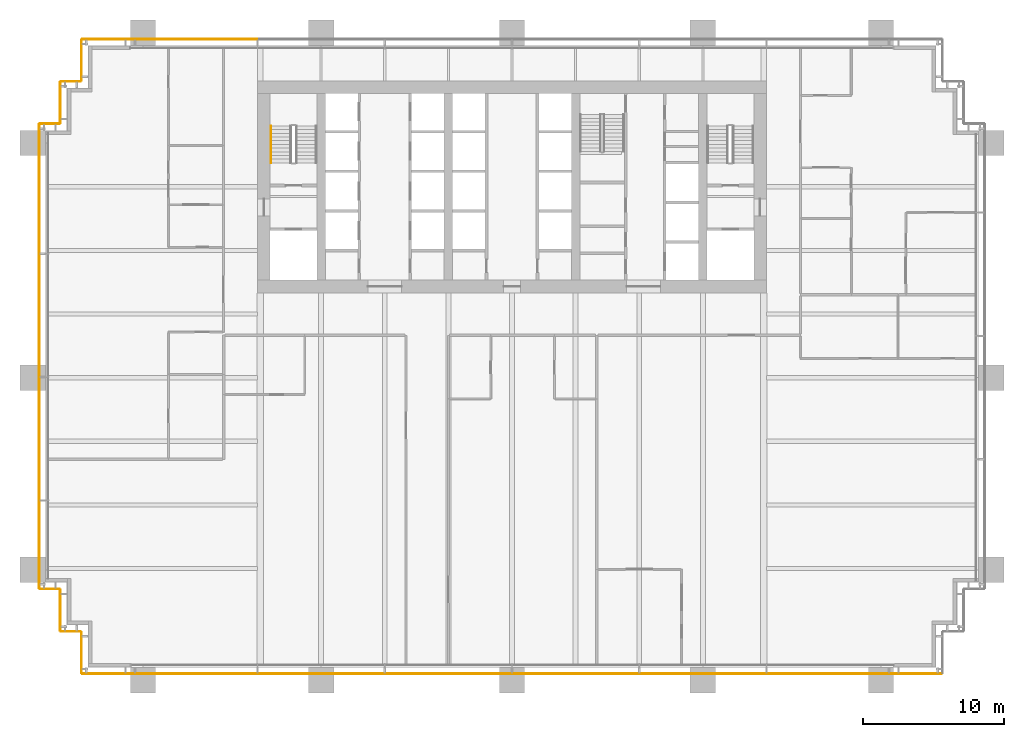
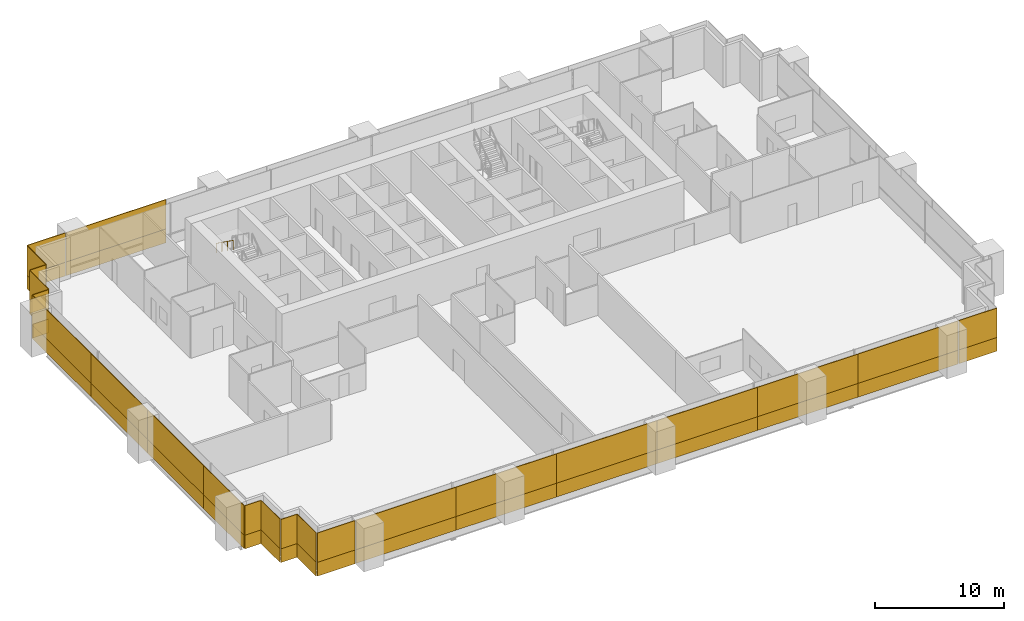
# One storey, part 17 of 19: 44 coverings, 1 railing.
"""IFC4 building model written with IfcOpenShell, lengths in metres."""

from ifc_helpers import new_model, si_unit, direction, frame, origin, origin_2d, place, context, subcontext, project, spatial, rectangle, extrude, material, layer, layer_set, type_object, element, save


model = new_model("IFC4")

# Units and contexts
model_context = context("Model", 3, precision=1e-05, world=origin(), true_north=direction((0.0, 1.0)))
body_context = subcontext(model_context, "Body", "Model", "MODEL_VIEW")
ifc_project = project(units=[si_unit("LENGTHUNIT", "METRE"), si_unit("AREAUNIT", "SQUARE_METRE"), si_unit("VOLUMEUNIT", "CUBIC_METRE"), si_unit("PLANEANGLEUNIT", "RADIAN"), si_unit("MASSUNIT", "GRAM", prefix="KILO")], contexts=[model_context])

# Site, building, storey
site_placement = place(None, origin())
site = spatial("IfcSite", under=ifc_project, at=site_placement, CompositionType="ELEMENT")
building_placement = place(site_placement, origin())
building = spatial("IfcBuilding", under=site, at=building_placement, Name="Rattan Terrace Tower", CompositionType="ELEMENT")
storey_placement = place(building_placement, frame((0.0, 0.0, 52.89990234375)))
storey = spatial("IfcBuildingStorey", under=building, at=storey_placement, Name="L11", CompositionType="ELEMENT", Elevation=52.89990234375)

# Railing
ifc_material_1 = material(Name="Powder-coated steel handrail", Category="steel")
railing_type = type_object("IfcRailingType", Name="Core stair handrail", PredefinedType="HANDRAIL", material=ifc_material_1)
railing_placement = place(storey_placement, frame((-17.050048828125, 4.300048828125, 2.236572265625)))
element("IfcRailing", 1, at=railing_placement, inside=storey, type_object=railing_type, Name="L11 S1 stair handrail 2", PredefinedType="HANDRAIL", context=body_context, shape_type="SweptSolid", body=[
    extrude(rectangle(XDim=0.048095703125, YDim=0.048095703125, at=origin_2d()), frame((0.0, 0.0, 0.8759765625), z_axis=(0.0, -0.812799059333, 0.582544152102), x_axis=(1.0, 0.0, 0.0)), (0.0, 0.0, 1.0), 3.198974609375),
    extrude(rectangle(XDim=0.0419921875, YDim=0.0419921875, at=origin_2d()), origin(), (0.0, 0.0, 1.0), 0.851806640625),
    extrude(rectangle(XDim=0.0419921875, YDim=0.0419921875, at=origin_2d()), frame((0.0, -0.86669921875, 0.62109375)), (0.0, 0.0, 1.0), 0.851806640625),
    extrude(rectangle(XDim=0.0419921875, YDim=0.0419921875, at=origin_2d()), frame((0.0, -1.7333984375, 1.242431640625)), (0.0, 0.0, 1.0), 0.851806640625),
    extrude(rectangle(XDim=0.0419921875, YDim=0.0419921875, at=origin_2d()), frame((0.0, -2.60009765625, 1.863525390625)), (0.0, 0.0, 1.0), 0.851806640625),
])

# Coverings
ifc_material_2 = material(Name="Solid terracotta", Category="masonry")
ifc_layer_1 = layer(ifc_material_2, 0.06005859375)
ifc_layer_set_1 = layer_set([ifc_layer_1], Name="Facade Terracotta Band Panel")
covering_type_1 = type_object("IfcCoveringType", Name="Facade Terracotta Band Panel", PredefinedType="CLADDING", material=ifc_layer_set_1)
covering_1_placement = place(storey_placement, frame((28.72509765625, -34.449951171875, -0.18994140625), z_axis=(0.0, 0.0, 1.0), x_axis=(1.0, 0.0, 0.0)))
element("IfcCovering", 2, at=covering_1_placement, inside=storey, type_object=covering_type_1, Name="OUTER SKIN panel L11-1A", PredefinedType="CLADDING", context=body_context, shape_type="SweptSolid", body=[
    extrude(rectangle(XDim=3.3701171875, YDim=0.06005859375, at=origin_2d()), origin(), (0.0, 0.0, 1.0), 1.300048828125),
])
covering_2_placement = place(storey_placement, frame((-22.485107421875, 10.449951171875, -0.18994140625), z_axis=(0.0, 0.0, 1.0), x_axis=(-1.0, 0.0, 0.0)))
element("IfcCovering", 3, at=covering_2_placement, inside=storey, type_object=covering_type_1, Name="OUTER SKIN panel L11-20A", PredefinedType="CLADDING", context=body_context, shape_type="SweptSolid", body=[
    extrude(rectangle(XDim=8.949951171875, YDim=0.06005859375, at=origin_2d()), origin(), (0.0, 0.0, 1.0), 1.300048828125),
])
covering_3_placement = place(storey_placement, frame((-28.72509765625, 10.449951171875, -0.18994140625), z_axis=(0.0, 0.0, 1.0), x_axis=(-1.0, 0.0, 0.0)))
element("IfcCovering", 4, at=covering_3_placement, inside=storey, type_object=covering_type_1, Name="OUTER SKIN panel L11-21A", PredefinedType="CLADDING", context=body_context, shape_type="SweptSolid", body=[
    extrude(rectangle(XDim=3.3701171875, YDim=0.06005859375, at=origin_2d()), origin(), (0.0, 0.0, 1.0), 1.300048828125),
])
covering_4_placement = place(storey_placement, frame((-30.449951171875, 8.949951171875, -0.18994140625), z_axis=(0.0, 0.0, 1.0), x_axis=(0.0, -1.0, 0.0)))
element("IfcCovering", 5, at=covering_4_placement, inside=storey, type_object=covering_type_1, Name="OUTER SKIN panel L11-22A", PredefinedType="CLADDING", context=body_context, shape_type="SweptSolid", body=[
    extrude(rectangle(XDim=2.919921875, YDim=0.06005859375, at=origin_2d()), origin(), (0.0, 0.0, 1.0), 1.300048828125),
])
covering_5_placement = place(storey_placement, frame((-31.199951171875, 7.449951171875, -0.18994140625), z_axis=(0.0, 0.0, 1.0), x_axis=(-1.0, 0.0, 0.0)))
element("IfcCovering", 6, at=covering_5_placement, inside=storey, type_object=covering_type_1, Name="OUTER SKIN panel L11-23A", PredefinedType="CLADDING", context=body_context, shape_type="SweptSolid", body=[
    extrude(rectangle(XDim=1.419921875, YDim=0.06005859375, at=origin_2d()), origin(), (0.0, 0.0, 1.0), 1.300048828125),
])
covering_6_placement = place(storey_placement, frame((-31.949951171875, 5.949951171875, -0.18994140625), z_axis=(0.0, 0.0, 1.0), x_axis=(0.0, -1.0, 0.0)))
element("IfcCovering", 7, at=covering_6_placement, inside=storey, type_object=covering_type_1, Name="OUTER SKIN panel L11-24A", PredefinedType="CLADDING", context=body_context, shape_type="SweptSolid", body=[
    extrude(rectangle(XDim=2.919921875, YDim=0.06005859375, at=origin_2d()), origin(), (0.0, 0.0, 1.0), 1.300048828125),
])
covering_7_placement = place(storey_placement, frame((-32.699951171875, 4.449951171875, -0.18994140625), z_axis=(0.0, 0.0, 1.0), x_axis=(-1.0, 0.0, 0.0)))
element("IfcCovering", 8, at=covering_7_placement, inside=storey, type_object=covering_type_1, Name="OUTER SKIN panel L11-25A", PredefinedType="CLADDING", context=body_context, shape_type="SweptSolid", body=[
    extrude(rectangle(XDim=1.419921875, YDim=0.06005859375, at=origin_2d()), origin(), (0.0, 0.0, 1.0), 1.300048828125),
])
covering_8_placement = place(storey_placement, frame((-33.449951171875, -0.153564453125, -0.18994140625), z_axis=(0.0, 0.0, 1.0), x_axis=(0.0, -1.0, 0.0)))
element("IfcCovering", 9, at=covering_8_placement, inside=storey, type_object=covering_type_1, Name="OUTER SKIN panel L11-26A", PredefinedType="CLADDING", context=body_context, shape_type="SweptSolid", body=[
    extrude(rectangle(XDim=9.126953125, YDim=0.06005859375, at=origin_2d()), origin(), (0.0, 0.0, 1.0), 1.300048828125),
])
for number, where, z_axis, x_axis, name in (
    (10, (-33.449951171875, -9.090576171875, -0.18994140625), (0.0, 0.0, 1.0), (0.0, -1.0, 0.0), "OUTER SKIN panel L11-27A"),
    (11, (-33.449951171875, -17.8173828125, -0.18994140625), (0.0, 0.0, 1.0), (0.0, -1.0, 0.0), "OUTER SKIN panel L11-28A"),
):
    element("IfcCovering", number, at=place(storey_placement, frame(where, z_axis=z_axis, x_axis=x_axis)), inside=storey, type_object=covering_type_1, Name=name, PredefinedType="CLADDING", context=body_context, shape_type="SweptSolid", body=[
        extrude(rectangle(XDim=8.70703125, YDim=0.06005859375, at=origin_2d()), origin(), (0.0, 0.0, 1.0), 1.300048828125),
    ])
covering_9_placement = place(storey_placement, frame((-33.449951171875, -25.300537109375, -0.18994140625), z_axis=(0.0, 0.0, 1.0), x_axis=(0.0, -1.0, 0.0)))
element("IfcCovering", 12, at=covering_9_placement, inside=storey, type_object=covering_type_1, Name="OUTER SKIN panel L11-29A", PredefinedType="CLADDING", context=body_context, shape_type="SweptSolid", body=[
    extrude(rectangle(XDim=6.218994140625, YDim=0.06005859375, at=origin_2d()), origin(), (0.0, 0.0, 1.0), 1.300048828125),
])
covering_10_placement = place(storey_placement, frame((-32.699951171875, -28.449951171875, -0.18994140625), z_axis=(0.0, 0.0, 1.0), x_axis=(1.0, 0.0, 0.0)))
element("IfcCovering", 13, at=covering_10_placement, inside=storey, type_object=covering_type_1, Name="OUTER SKIN panel L11-30A", PredefinedType="CLADDING", context=body_context, shape_type="SweptSolid", body=[
    extrude(rectangle(XDim=1.419921875, YDim=0.06005859375, at=origin_2d()), origin(), (0.0, 0.0, 1.0), 1.300048828125),
])
covering_11_placement = place(storey_placement, frame((-31.949951171875, -29.949951171875, -0.18994140625), z_axis=(0.0, 0.0, 1.0), x_axis=(0.0, -1.0, 0.0)))
element("IfcCovering", 14, at=covering_11_placement, inside=storey, type_object=covering_type_1, Name="OUTER SKIN panel L11-31A", PredefinedType="CLADDING", context=body_context, shape_type="SweptSolid", body=[
    extrude(rectangle(XDim=2.919921875, YDim=0.06005859375, at=origin_2d()), origin(), (0.0, 0.0, 1.0), 1.300048828125),
])
covering_12_placement = place(storey_placement, frame((-31.199951171875, -31.449951171875, -0.18994140625), z_axis=(0.0, 0.0, 1.0), x_axis=(1.0, 0.0, 0.0)))
element("IfcCovering", 15, at=covering_12_placement, inside=storey, type_object=covering_type_1, Name="OUTER SKIN panel L11-32A", PredefinedType="CLADDING", context=body_context, shape_type="SweptSolid", body=[
    extrude(rectangle(XDim=1.419921875, YDim=0.06005859375, at=origin_2d()), origin(), (0.0, 0.0, 1.0), 1.300048828125),
])
covering_13_placement = place(storey_placement, frame((-30.449951171875, -32.949951171875, -0.18994140625), z_axis=(0.0, 0.0, 1.0), x_axis=(0.0, -1.0, 0.0)))
element("IfcCovering", 16, at=covering_13_placement, inside=storey, type_object=covering_type_1, Name="OUTER SKIN panel L11-33A", PredefinedType="CLADDING", context=body_context, shape_type="SweptSolid", body=[
    extrude(rectangle(XDim=2.919921875, YDim=0.06005859375, at=origin_2d()), origin(), (0.0, 0.0, 1.0), 1.300048828125),
])
covering_14_placement = place(storey_placement, frame((-28.72509765625, -34.449951171875, -0.18994140625), z_axis=(0.0, 0.0, 1.0), x_axis=(1.0, 0.0, 0.0)))
element("IfcCovering", 17, at=covering_14_placement, inside=storey, type_object=covering_type_1, Name="OUTER SKIN panel L11-34A", PredefinedType="CLADDING", context=body_context, shape_type="SweptSolid", body=[
    extrude(rectangle(XDim=3.3701171875, YDim=0.06005859375, at=origin_2d()), origin(), (0.0, 0.0, 1.0), 1.300048828125),
])
covering_15_placement = place(storey_placement, frame((-22.485107421875, -34.449951171875, -0.18994140625), z_axis=(0.0, 0.0, 1.0), x_axis=(1.0, 0.0, 0.0)))
element("IfcCovering", 18, at=covering_15_placement, inside=storey, type_object=covering_type_1, Name="OUTER SKIN panel L11-35A", PredefinedType="CLADDING", context=body_context, shape_type="SweptSolid", body=[
    extrude(rectangle(XDim=8.949951171875, YDim=0.06005859375, at=origin_2d()), origin(), (0.0, 0.0, 1.0), 1.300048828125),
])
for number, where, z_axis, x_axis, name in (
    (19, (-13.5, -34.449951171875, -0.18994140625), (0.0, 0.0, 1.0), (1.0, 0.0, 0.0), "OUTER SKIN panel L11-36A"),
    (20, (-4.5, -34.449951171875, -0.18994140625), (0.0, 0.0, 1.0), (1.0, 0.0, 0.0), "OUTER SKIN panel L11-37A"),
    (21, (4.5, -34.449951171875, -0.18994140625), (0.0, 0.0, 1.0), (1.0, 0.0, 0.0), "OUTER SKIN panel L11-38A"),
    (22, (13.5, -34.449951171875, -0.18994140625), (0.0, 0.0, 1.0), (1.0, 0.0, 0.0), "OUTER SKIN panel L11-39A"),
):
    element("IfcCovering", number, at=place(storey_placement, frame(where, z_axis=z_axis, x_axis=x_axis)), inside=storey, type_object=covering_type_1, Name=name, PredefinedType="CLADDING", context=body_context, shape_type="SweptSolid", body=[
        extrude(rectangle(XDim=8.97998046875, YDim=0.06005859375, at=origin_2d()), origin(), (0.0, 0.0, 1.0), 1.300048828125),
    ])
covering_16_placement = place(storey_placement, frame((22.485107421875, -34.449951171875, -0.18994140625), z_axis=(0.0, 0.0, 1.0), x_axis=(1.0, 0.0, 0.0)))
element("IfcCovering", 23, at=covering_16_placement, inside=storey, type_object=covering_type_1, Name="OUTER SKIN panel L11-40A", PredefinedType="CLADDING", context=body_context, shape_type="SweptSolid", body=[
    extrude(rectangle(XDim=8.949951171875, YDim=0.06005859375, at=origin_2d()), origin(), (0.0, 0.0, 1.0), 1.300048828125),
])
ifc_material_3 = material(Name="Perforated terracotta", Category="masonry")
ifc_layer_2 = layer(ifc_material_3, 0.06005859375)
ifc_layer_set_2 = layer_set([ifc_layer_2], Name="Facade Terracotta Screen Panel")
covering_type_2 = type_object("IfcCoveringType", Name="Facade Terracotta Screen Panel", PredefinedType="CLADDING", material=ifc_layer_set_2)
covering_17_placement = place(storey_placement, frame((28.72509765625, -34.449951171875, 1.10986328125), z_axis=(0.0, 0.0, 1.0), x_axis=(1.0, 0.0, 0.0)))
element("IfcCovering", 24, at=covering_17_placement, inside=storey, type_object=covering_type_2, Name="OUTER SKIN panel L11-1B", PredefinedType="CLADDING", context=body_context, shape_type="SweptSolid", body=[
    extrude(rectangle(XDim=3.3701171875, YDim=0.06005859375, at=origin_2d()), origin(), (0.0, 0.0, 1.0), 2.780029296875),
])
covering_18_placement = place(storey_placement, frame((-22.485107421875, 10.449951171875, 1.10986328125), z_axis=(0.0, 0.0, 1.0), x_axis=(-1.0, 0.0, 0.0)))
element("IfcCovering", 25, at=covering_18_placement, inside=storey, type_object=covering_type_2, Name="OUTER SKIN panel L11-20B", PredefinedType="CLADDING", context=body_context, shape_type="SweptSolid", body=[
    extrude(rectangle(XDim=8.949951171875, YDim=0.06005859375, at=origin_2d()), origin(), (0.0, 0.0, 1.0), 2.780029296875),
])
covering_19_placement = place(storey_placement, frame((-28.72509765625, 10.449951171875, 1.10986328125), z_axis=(0.0, 0.0, 1.0), x_axis=(-1.0, 0.0, 0.0)))
element("IfcCovering", 26, at=covering_19_placement, inside=storey, type_object=covering_type_2, Name="OUTER SKIN panel L11-21B", PredefinedType="CLADDING", context=body_context, shape_type="SweptSolid", body=[
    extrude(rectangle(XDim=3.3701171875, YDim=0.06005859375, at=origin_2d()), origin(), (0.0, 0.0, 1.0), 2.780029296875),
])
covering_20_placement = place(storey_placement, frame((-30.449951171875, 8.949951171875, 1.10986328125), z_axis=(0.0, 0.0, 1.0), x_axis=(0.0, -1.0, 0.0)))
element("IfcCovering", 27, at=covering_20_placement, inside=storey, type_object=covering_type_2, Name="OUTER SKIN panel L11-22B", PredefinedType="CLADDING", context=body_context, shape_type="SweptSolid", body=[
    extrude(rectangle(XDim=2.919921875, YDim=0.06005859375, at=origin_2d()), origin(), (0.0, 0.0, 1.0), 2.780029296875),
])
covering_21_placement = place(storey_placement, frame((-31.199951171875, 7.449951171875, 1.10986328125), z_axis=(0.0, 0.0, 1.0), x_axis=(-1.0, 0.0, 0.0)))
element("IfcCovering", 28, at=covering_21_placement, inside=storey, type_object=covering_type_2, Name="OUTER SKIN panel L11-23B", PredefinedType="CLADDING", context=body_context, shape_type="SweptSolid", body=[
    extrude(rectangle(XDim=1.419921875, YDim=0.06005859375, at=origin_2d()), origin(), (0.0, 0.0, 1.0), 2.780029296875),
])
covering_22_placement = place(storey_placement, frame((-31.949951171875, 5.949951171875, 1.10986328125), z_axis=(0.0, 0.0, 1.0), x_axis=(0.0, -1.0, 0.0)))
element("IfcCovering", 29, at=covering_22_placement, inside=storey, type_object=covering_type_2, Name="OUTER SKIN panel L11-24B", PredefinedType="CLADDING", context=body_context, shape_type="SweptSolid", body=[
    extrude(rectangle(XDim=2.919921875, YDim=0.06005859375, at=origin_2d()), origin(), (0.0, 0.0, 1.0), 2.780029296875),
])
covering_23_placement = place(storey_placement, frame((-32.699951171875, 4.449951171875, 1.10986328125), z_axis=(0.0, 0.0, 1.0), x_axis=(-1.0, 0.0, 0.0)))
element("IfcCovering", 30, at=covering_23_placement, inside=storey, type_object=covering_type_2, Name="OUTER SKIN panel L11-25B", PredefinedType="CLADDING", context=body_context, shape_type="SweptSolid", body=[
    extrude(rectangle(XDim=1.419921875, YDim=0.06005859375, at=origin_2d()), origin(), (0.0, 0.0, 1.0), 2.780029296875),
])
covering_24_placement = place(storey_placement, frame((-33.449951171875, -0.153564453125, 1.10986328125), z_axis=(0.0, 0.0, 1.0), x_axis=(0.0, -1.0, 0.0)))
element("IfcCovering", 31, at=covering_24_placement, inside=storey, type_object=covering_type_2, Name="OUTER SKIN panel L11-26B", PredefinedType="CLADDING", context=body_context, shape_type="SweptSolid", body=[
    extrude(rectangle(XDim=9.126953125, YDim=0.06005859375, at=origin_2d()), origin(), (0.0, 0.0, 1.0), 2.780029296875),
])
for number, where, z_axis, x_axis, name in (
    (32, (-33.449951171875, -9.090576171875, 1.10986328125), (0.0, 0.0, 1.0), (0.0, -1.0, 0.0), "OUTER SKIN panel L11-27B"),
    (33, (-33.449951171875, -17.8173828125, 1.10986328125), (0.0, 0.0, 1.0), (0.0, -1.0, 0.0), "OUTER SKIN panel L11-28B"),
):
    element("IfcCovering", number, at=place(storey_placement, frame(where, z_axis=z_axis, x_axis=x_axis)), inside=storey, type_object=covering_type_2, Name=name, PredefinedType="CLADDING", context=body_context, shape_type="SweptSolid", body=[
        extrude(rectangle(XDim=8.70703125, YDim=0.06005859375, at=origin_2d()), origin(), (0.0, 0.0, 1.0), 2.780029296875),
    ])
covering_25_placement = place(storey_placement, frame((-33.449951171875, -25.300537109375, 1.10986328125), z_axis=(0.0, 0.0, 1.0), x_axis=(0.0, -1.0, 0.0)))
element("IfcCovering", 34, at=covering_25_placement, inside=storey, type_object=covering_type_2, Name="OUTER SKIN panel L11-29B", PredefinedType="CLADDING", context=body_context, shape_type="SweptSolid", body=[
    extrude(rectangle(XDim=6.218994140625, YDim=0.06005859375, at=origin_2d()), origin(), (0.0, 0.0, 1.0), 2.780029296875),
])
covering_26_placement = place(storey_placement, frame((-32.699951171875, -28.449951171875, 1.10986328125), z_axis=(0.0, 0.0, 1.0), x_axis=(1.0, 0.0, 0.0)))
element("IfcCovering", 35, at=covering_26_placement, inside=storey, type_object=covering_type_2, Name="OUTER SKIN panel L11-30B", PredefinedType="CLADDING", context=body_context, shape_type="SweptSolid", body=[
    extrude(rectangle(XDim=1.419921875, YDim=0.06005859375, at=origin_2d()), origin(), (0.0, 0.0, 1.0), 2.780029296875),
])
covering_27_placement = place(storey_placement, frame((-31.949951171875, -29.949951171875, 1.10986328125), z_axis=(0.0, 0.0, 1.0), x_axis=(0.0, -1.0, 0.0)))
element("IfcCovering", 36, at=covering_27_placement, inside=storey, type_object=covering_type_2, Name="OUTER SKIN panel L11-31B", PredefinedType="CLADDING", context=body_context, shape_type="SweptSolid", body=[
    extrude(rectangle(XDim=2.919921875, YDim=0.06005859375, at=origin_2d()), origin(), (0.0, 0.0, 1.0), 2.780029296875),
])
covering_28_placement = place(storey_placement, frame((-31.199951171875, -31.449951171875, 1.10986328125), z_axis=(0.0, 0.0, 1.0), x_axis=(1.0, 0.0, 0.0)))
element("IfcCovering", 37, at=covering_28_placement, inside=storey, type_object=covering_type_2, Name="OUTER SKIN panel L11-32B", PredefinedType="CLADDING", context=body_context, shape_type="SweptSolid", body=[
    extrude(rectangle(XDim=1.419921875, YDim=0.06005859375, at=origin_2d()), origin(), (0.0, 0.0, 1.0), 2.780029296875),
])
covering_29_placement = place(storey_placement, frame((-30.449951171875, -32.949951171875, 1.10986328125), z_axis=(0.0, 0.0, 1.0), x_axis=(0.0, -1.0, 0.0)))
element("IfcCovering", 38, at=covering_29_placement, inside=storey, type_object=covering_type_2, Name="OUTER SKIN panel L11-33B", PredefinedType="CLADDING", context=body_context, shape_type="SweptSolid", body=[
    extrude(rectangle(XDim=2.919921875, YDim=0.06005859375, at=origin_2d()), origin(), (0.0, 0.0, 1.0), 2.780029296875),
])
covering_30_placement = place(storey_placement, frame((-28.72509765625, -34.449951171875, 1.10986328125), z_axis=(0.0, 0.0, 1.0), x_axis=(1.0, 0.0, 0.0)))
element("IfcCovering", 39, at=covering_30_placement, inside=storey, type_object=covering_type_2, Name="OUTER SKIN panel L11-34B", PredefinedType="CLADDING", context=body_context, shape_type="SweptSolid", body=[
    extrude(rectangle(XDim=3.3701171875, YDim=0.06005859375, at=origin_2d()), origin(), (0.0, 0.0, 1.0), 2.780029296875),
])
covering_31_placement = place(storey_placement, frame((-22.485107421875, -34.449951171875, 1.10986328125), z_axis=(0.0, 0.0, 1.0), x_axis=(1.0, 0.0, 0.0)))
element("IfcCovering", 40, at=covering_31_placement, inside=storey, type_object=covering_type_2, Name="OUTER SKIN panel L11-35B", PredefinedType="CLADDING", context=body_context, shape_type="SweptSolid", body=[
    extrude(rectangle(XDim=8.949951171875, YDim=0.06005859375, at=origin_2d()), origin(), (0.0, 0.0, 1.0), 2.780029296875),
])
for number, where, z_axis, x_axis, name in (
    (41, (-13.5, -34.449951171875, 1.10986328125), (0.0, 0.0, 1.0), (1.0, 0.0, 0.0), "OUTER SKIN panel L11-36B"),
    (42, (-4.5, -34.449951171875, 1.10986328125), (0.0, 0.0, 1.0), (1.0, 0.0, 0.0), "OUTER SKIN panel L11-37B"),
    (43, (4.5, -34.449951171875, 1.10986328125), (0.0, 0.0, 1.0), (1.0, 0.0, 0.0), "OUTER SKIN panel L11-38B"),
    (44, (13.5, -34.449951171875, 1.10986328125), (0.0, 0.0, 1.0), (1.0, 0.0, 0.0), "OUTER SKIN panel L11-39B"),
):
    element("IfcCovering", number, at=place(storey_placement, frame(where, z_axis=z_axis, x_axis=x_axis)), inside=storey, type_object=covering_type_2, Name=name, PredefinedType="CLADDING", context=body_context, shape_type="SweptSolid", body=[
        extrude(rectangle(XDim=8.97998046875, YDim=0.06005859375, at=origin_2d()), origin(), (0.0, 0.0, 1.0), 2.780029296875),
    ])
covering_32_placement = place(storey_placement, frame((22.485107421875, -34.449951171875, 1.10986328125), z_axis=(0.0, 0.0, 1.0), x_axis=(1.0, 0.0, 0.0)))
element("IfcCovering", 45, at=covering_32_placement, inside=storey, type_object=covering_type_2, Name="OUTER SKIN panel L11-40B", PredefinedType="CLADDING", context=body_context, shape_type="SweptSolid", body=[
    extrude(rectangle(XDim=8.949951171875, YDim=0.06005859375, at=origin_2d()), origin(), (0.0, 0.0, 1.0), 2.780029296875),
])

save(model, "model.ifc")
